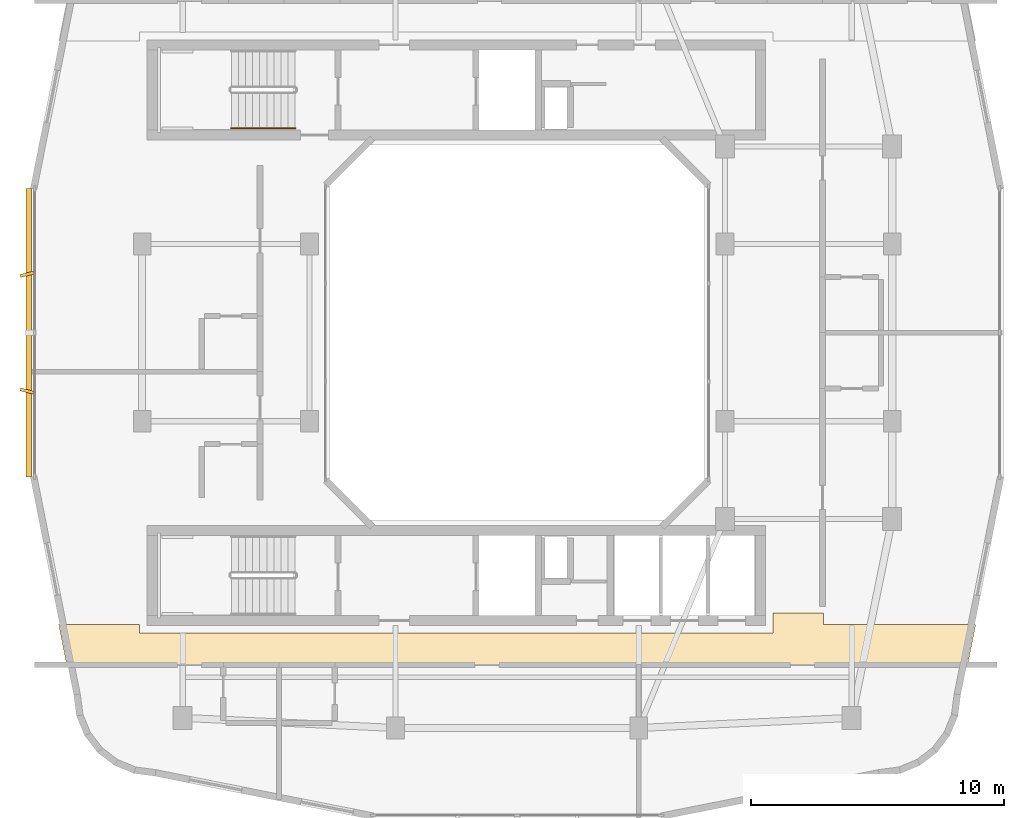
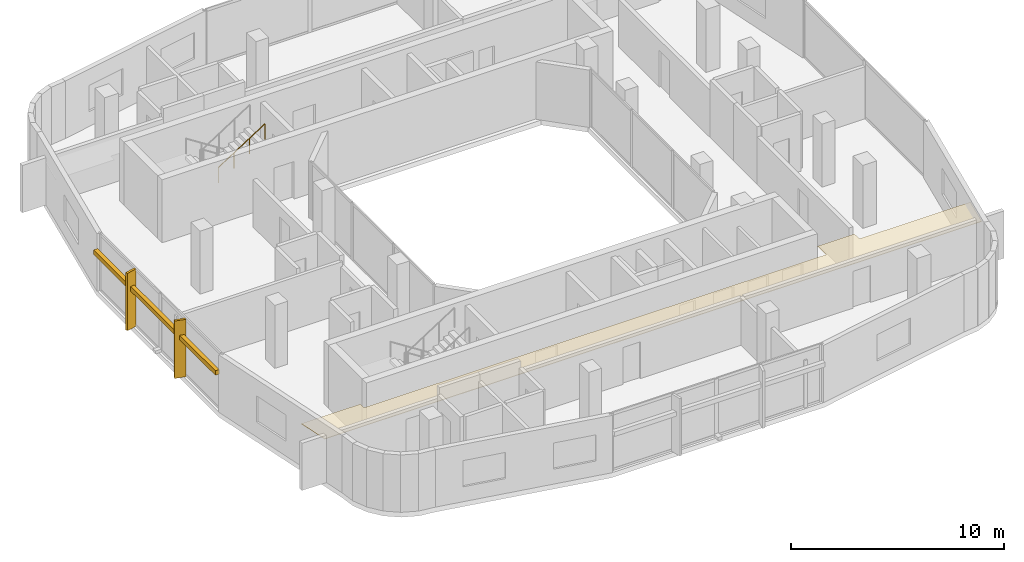
# One storey, part 11 of 13: 3 shading devices, 1 covering, 1 railing.
"""IFC4 building model written with IfcOpenShell, lengths in metres."""

from ifc_helpers import new_model, si_unit, derived_unit, direction, frame, origin, origin_2d, place, context, subcontext, project, spatial, polyline, rectangle, circle, outline, extrude, material, layer, layer_set, type_object, element, save


model = new_model("IFC4")

# Units and contexts
model_context = context("Model", 3, precision=1e-05, world=origin(), true_north=direction((0.0, 1.0)))
body_context = subcontext(model_context, "Body", "Model", "MODEL_VIEW")
ifc_project = project(units=[si_unit("LENGTHUNIT", "METRE"), si_unit("AREAUNIT", "SQUARE_METRE"), si_unit("VOLUMEUNIT", "CUBIC_METRE"), si_unit("PLANEANGLEUNIT", "RADIAN"), si_unit("MASSUNIT", "GRAM", prefix="KILO"), derived_unit("THERMALTRANSMITTANCEUNIT", [(si_unit("POWERUNIT", "WATT"), 1), (si_unit("LENGTHUNIT", "METRE"), -2), (si_unit("THERMODYNAMICTEMPERATUREUNIT", "KELVIN"), -1)])], contexts=[model_context])

# Site, building, storey
site_placement = place(None, origin())
site = spatial("IfcSite", under=ifc_project, at=site_placement, CompositionType="ELEMENT")
building_placement = place(site_placement, origin())
building = spatial("IfcBuilding", under=site, at=building_placement, Name="Kivonza Crest Hotel", CompositionType="ELEMENT")
storey_placement = place(building_placement, frame((0.0, 0.0, 235.10009765625)))
storey = spatial("IfcBuildingStorey", under=building, at=storey_placement, Name="L64", CompositionType="ELEMENT", Elevation=235.10009765625)

# Covering
ifc_material_1 = material(Name="Moisture-resistant gypsum plasterboard ceiling", Category="gypsum")
ifc_layer = layer(ifc_material_1, 0.030029296875)
ifc_layer_set = layer_set([ifc_layer], Name="Moisture-resistant gypsum plasterboard ceiling")
covering_type = type_object("IfcCoveringType", Name="CV-CEIL-GYP", PredefinedType="CEILING", material=ifc_layer_set)
covering_placement = place(storey_placement, frame((0.0, 0.0, 2.449951171875)))
element("IfcCovering", 1, at=covering_placement, inside=storey, type_object=covering_type, Name="L64 Hotel South Guest Corridor suspended ceiling", PredefinedType="CEILING", context=body_context, shape_type="SweptSolid", body=[
    extrude(outline(polyline([(33.090087890625, 13.47998046875), (33.090087890625, 13.93994140625), (31.10009765625, 13.93994140625), (31.10009765625, 13.139892578125), (6.10009765625, 13.139892578125), (6.10009765625, 13.47998046875), (2.906005859375, 13.47998046875), (3.22802734375, 11.860107421875), (38.77197265625, 11.860107421875), (39.093994140625, 13.47998046875), (33.090087890625, 13.47998046875)])), origin(), (0.0, 0.0, 1.0), 0.030029296875),
])

# Railing
ifc_material_2 = material(Name="Brushed stainless steel handrail", Category="steel")
railing_type = type_object("IfcRailingType", Name="RL-HAND-900", PredefinedType="HANDRAIL", material=ifc_material_2)
railing_placement = place(storey_placement, frame((9.719970703125, 33.070068359375, 1.97998046875)))
element("IfcRailing", 2, at=railing_placement, inside=storey, type_object=railing_type, Name="L64 ST-T1-N stair handrail 2", PredefinedType="HANDRAIL", context=body_context, shape_type="SweptSolid", body=[
    extrude(circle(Radius=0.02392578125, at=origin_2d()), frame((0.0, 0.0, 0.8759765625), z_axis=(0.841199657755, 0.0, 0.540724639528), x_axis=(0.0, 1.0, 0.0)), (0.0, 0.0, 1.0), 2.995849609375),
    extrude(circle(Radius=0.02099609375, at=origin_2d()), origin(), (0.0, 0.0, 1.0), 0.851806640625),
    extrude(circle(Radius=0.02099609375, at=origin_2d()), frame((0.840087890625, 0.0, 0.5400390625)), (0.0, 0.0, 1.0), 0.851806640625),
    extrude(circle(Radius=0.02099609375, at=origin_2d()), frame((1.679931640625, 0.0, 1.079833984375)), (0.0, 0.0, 1.0), 0.851806640625),
    extrude(circle(Radius=0.02099609375, at=origin_2d()), frame((2.52001953125, 0.0, 1.619873046875)), (0.0, 0.0, 1.0), 0.851806640625),
])

# Shading devices
ifc_material_3 = material(Name="Kiln-fired Nairobi red-ochre terracotta", Category="masonry")
shading_device_type_1 = type_object("IfcShadingDeviceType", Name="SH-BAGUETTE-300", PredefinedType="USERDEFINED", material=ifc_material_3)
shading_device_placement = place(storey_placement, frame((1.719970703125, 25.0, 2.166015625), z_axis=(0.0, 0.0, 1.0), x_axis=(0.0, -1.0, 0.0)))
element("IfcShadingDevice", 3, at=shading_device_placement, inside=storey, type_object=shading_device_type_1, Name="L64 terracotta baguette screen CW-T1-L64-35", ObjectType="BAGUETTE", PredefinedType="USERDEFINED", context=body_context, shape_type="SweptSolid", body=[
    extrude(rectangle(XDim=11.39990234375, YDim=0.219970703125, at=origin_2d()), origin(), (0.0, 0.0, 1.0), 0.260009765625),
])
ifc_material_4 = material(Name="Kiln-fired terracotta over extruded aluminium spine", Category="masonry")
shading_device_type_2 = type_object("IfcShadingDeviceType", Name="SH-FIN-550", PredefinedType="USERDEFINED", material=ifc_material_4)
for number, where, z_axis, x_axis, name in (
    (4, (1.659912109375, 27.303955078125, 0.0), (0.0, 0.0, 1.0), (0.2419218956, -0.970295726276, 0.0), "L64 vertical solar shading fin CW-T1-L64-35-1"),
    (5, (1.659912109375, 22.696044921875, 0.0), (0.0, 0.0, 1.0), (-0.2419218956, -0.970295726276, 0.0), "L64 vertical solar shading fin CW-T1-L64-35-2"),
):
    element("IfcShadingDevice", number, at=place(storey_placement, frame(where, z_axis=z_axis, x_axis=x_axis)), inside=storey, type_object=shading_device_type_2, Name=name, ObjectType="FIN", PredefinedType="USERDEFINED", context=body_context, shape_type="SweptSolid", body=[
        extrude(rectangle(XDim=0.1201171875, YDim=0.550048828125, at=origin_2d()), origin(), (0.0, 0.0, 1.0), 3.280029296875),
    ])

save(model, "model.ifc")
